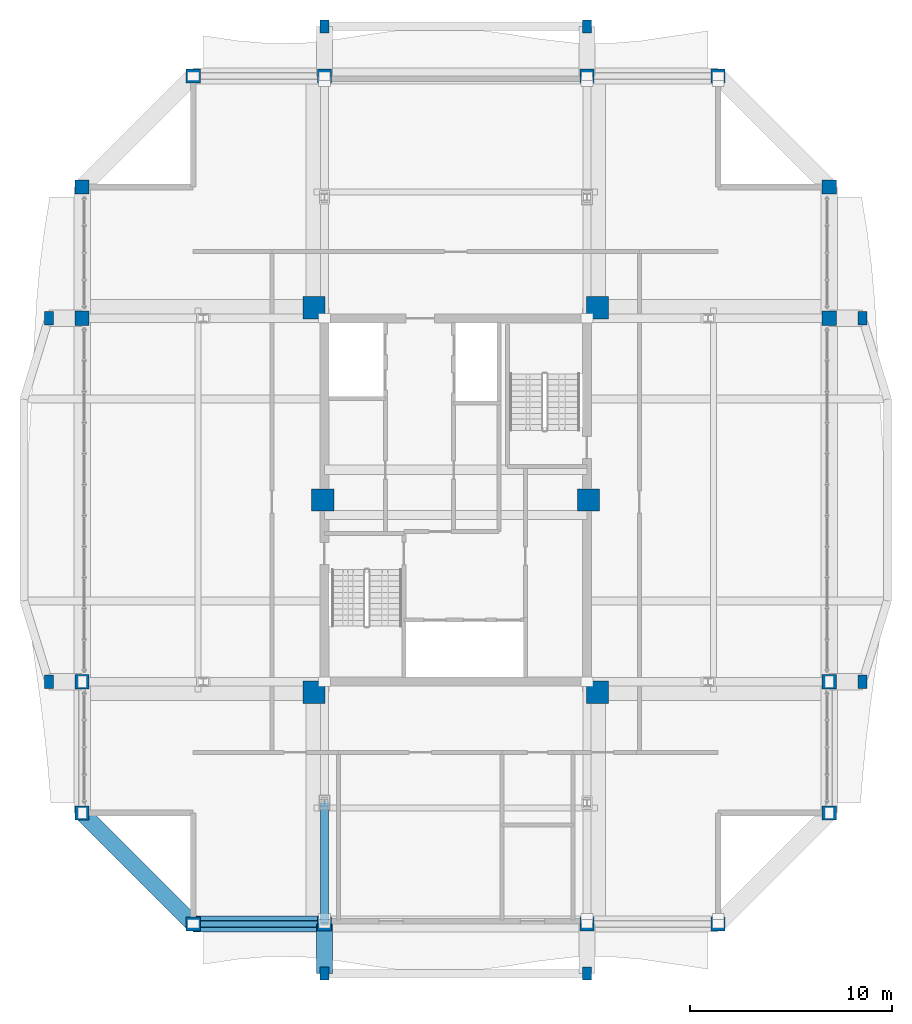
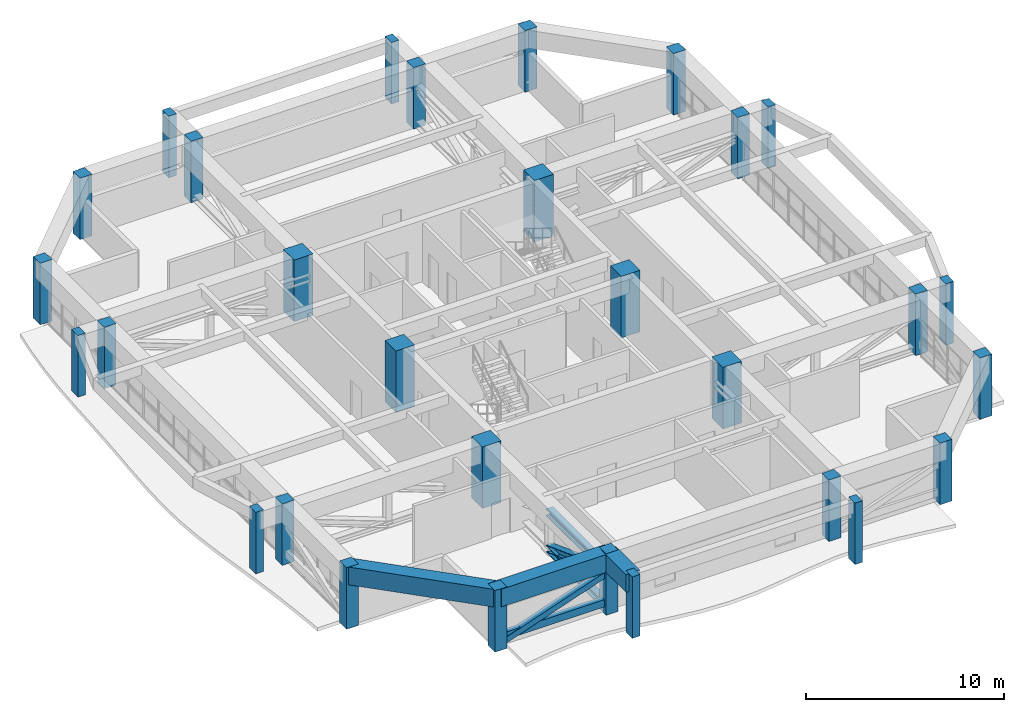
# One storey, part 1 of 25: 30 columns, 5 members, 3 beams.
"""IFC4 building model written with IfcOpenShell, lengths in metres."""

from ifc_helpers import new_model, si_unit, direction, frame, origin, origin_2d, place, context, subcontext, project, spatial, rectangle, hollow_rectangle, i_section, extrude, source, transform, mapped, material, material_profile, profile_set, type_object, element, save


model = new_model("IFC4")

# Units and contexts
model_context = context("Model", 3, precision=1e-05, world=origin(), true_north=direction((0.0, 1.0)))
body_context = subcontext(model_context, "Body", "Model", "MODEL_VIEW")
ifc_project = project(units=[si_unit("LENGTHUNIT", "METRE"), si_unit("AREAUNIT", "SQUARE_METRE"), si_unit("VOLUMEUNIT", "CUBIC_METRE"), si_unit("PLANEANGLEUNIT", "RADIAN"), si_unit("MASSUNIT", "GRAM", prefix="KILO")], contexts=[model_context])

# Site, building, storey
site_placement = place(None, origin())
site = spatial("IfcSite", under=ifc_project, at=site_placement, CompositionType="ELEMENT")
building_placement = place(site_placement, origin())
building = spatial("IfcBuilding", under=site, at=building_placement, Name="Saelheon Loggia Tower", CompositionType="ELEMENT")
storey_placement = place(building_placement, frame((0.0, 0.0, 206.5)))
storey = spatial("IfcBuildingStorey", under=building, at=storey_placement, Name="L64", CompositionType="ELEMENT", Elevation=206.5)

# Columns
ifc_material_1 = material(Name="Concrete C50/60", Category="concrete")
ifc_material_profile_1 = material_profile(ifc_material_1, rectangle(XDim=1.10009765625, YDim=1.10009765625, at=origin_2d()), Name="RC-1100x1100")
ifc_profile_set_1 = profile_set([ifc_material_profile_1], Name="Concrete C50/60")
column_type_1 = type_object("IfcColumnType", Name="Col_Core_RC1100", PredefinedType="COLUMN", material=ifc_profile_set_1)
shared_shape_1 = source(origin(), body_context, "Body", "SweptSolid", [
    extrude(rectangle(XDim=1.10009765625, YDim=1.10009765625, at=origin_2d()), origin(), (0.0, 0.0, 1.0), 3.800048828125),
])
for number, where, z_axis, x_axis, name in (
    (1, (30.97998046875, 17.47998046875, 0.0), (0.0, 0.0, 1.0), (1.0, 0.0, 0.0), "L64 Core Column CR-SW"),
    (2, (45.02001953125, 17.47998046875, 0.0), (0.0, 0.0, 1.0), (1.0, 0.0, 0.0), "L64 Core Column CR-SE"),
    (3, (30.97998046875, 36.52001953125, 0.0), (0.0, 0.0, 1.0), (1.0, 0.0, 0.0), "L64 Core Column CR-NW"),
    (4, (45.02001953125, 36.52001953125, 0.0), (0.0, 0.0, 1.0), (1.0, 0.0, 0.0), "L64 Core Column CR-NE"),
    (5, (31.419921875, 27.0, 0.0), (0.0, 0.0, 1.0), (1.0, 0.0, 0.0), "L64 Core Column CR-MW"),
    (6, (44.580078125, 27.0, 0.0), (0.0, 0.0, 1.0), (1.0, 0.0, 0.0), "L64 Core Column CR-ME"),
):
    element("IfcColumn", number, at=place(storey_placement, frame(where, z_axis=z_axis, x_axis=x_axis)), inside=storey, type_object=column_type_1, Name=name, PredefinedType="COLUMN", context=body_context, shape_type="MappedRepresentation", body=[
        mapped(shared_shape_1, transform((0.0, 0.0, 0.0), scale=1.0)),
    ])
ifc_material_2 = material(Name="Concrete C45/55", Category="concrete")
ifc_material_profile_2 = material_profile(ifc_material_2, rectangle(XDim=0.699951171875, YDim=0.699951171875, at=origin_2d()), Name="RC-700x700")
ifc_profile_set_2 = profile_set([ifc_material_profile_2], Name="Concrete C45/55")
column_type_2 = type_object("IfcColumnType", Name="Col_Perim_RC700", PredefinedType="COLUMN", material=ifc_profile_set_2)
shared_shape_2 = source(origin(), body_context, "Body", "SweptSolid", [
    extrude(rectangle(XDim=0.699951171875, YDim=0.699951171875, at=origin_2d()), origin(), (0.0, 0.0, 1.0), 3.800048828125),
])
for number, where, z_axis, x_axis, name in (
    (7, (25.0, 6.0, 0.0), (0.0, 0.0, 1.0), (1.0, 0.0, 0.0), "L64 Perimeter Column TP-S1"),
    (8, (31.5, 6.0, 0.0), (0.0, 0.0, 1.0), (1.0, 0.0, 0.0), "L64 Perimeter Column TP-SA"),
    (9, (44.5, 6.0, 0.0), (0.0, 0.0, 1.0), (1.0, 0.0, 0.0), "L64 Perimeter Column TP-SB"),
    (10, (51.0, 6.0, 0.0), (0.0, 0.0, 1.0), (1.0, 0.0, 0.0), "L64 Perimeter Column TP-S2"),
    (11, (56.5, 11.5, 0.0), (0.0, 0.0, 1.0), (1.0, 0.0, 0.0), "L64 Perimeter Column TP-E1"),
    (12, (56.5, 18.0, 0.0), (0.0, 0.0, 1.0), (1.0, 0.0, 0.0), "L64 Perimeter Column TP-EA"),
    (13, (56.5, 36.0, 0.0), (0.0, 0.0, 1.0), (1.0, 0.0, 0.0), "L64 Perimeter Column TP-EB"),
    (14, (56.5, 42.5, 0.0), (0.0, 0.0, 1.0), (1.0, 0.0, 0.0), "L64 Perimeter Column TP-E2"),
    (15, (51.0, 48.0, 0.0), (0.0, 0.0, 1.0), (1.0, 0.0, 0.0), "L64 Perimeter Column TP-N2"),
    (16, (44.5, 48.0, 0.0), (0.0, 0.0, 1.0), (1.0, 0.0, 0.0), "L64 Perimeter Column TP-NB"),
    (17, (31.5, 48.0, 0.0), (0.0, 0.0, 1.0), (1.0, 0.0, 0.0), "L64 Perimeter Column TP-NA"),
    (18, (25.0, 48.0, 0.0), (0.0, 0.0, 1.0), (1.0, 0.0, 0.0), "L64 Perimeter Column TP-N1"),
    (19, (19.5, 42.5, 0.0), (0.0, 0.0, 1.0), (1.0, 0.0, 0.0), "L64 Perimeter Column TP-W2"),
    (20, (19.5, 36.0, 0.0), (0.0, 0.0, 1.0), (1.0, 0.0, 0.0), "L64 Perimeter Column TP-WB"),
    (21, (19.5, 18.0, 0.0), (0.0, 0.0, 1.0), (1.0, 0.0, 0.0), "L64 Perimeter Column TP-WA"),
    (22, (19.5, 11.5, 0.0), (0.0, 0.0, 1.0), (1.0, 0.0, 0.0), "L64 Perimeter Column TP-W1"),
):
    element("IfcColumn", number, at=place(storey_placement, frame(where, z_axis=z_axis, x_axis=x_axis)), inside=storey, type_object=column_type_2, Name=name, PredefinedType="COLUMN", context=body_context, shape_type="MappedRepresentation", body=[
        mapped(shared_shape_2, transform((0.0, 0.0, 0.0), scale=1.0)),
    ])
ifc_material_3 = material(Name="Precast Concrete C45/55", Category="concrete")
ifc_material_profile_3 = material_profile(ifc_material_3, rectangle(XDim=0.449951171875, YDim=0.64990234375, at=origin_2d()), Name="RC-450x650")
ifc_profile_set_3 = profile_set([ifc_material_profile_3], Name="Precast Concrete C45/55")
column_type_3 = type_object("IfcColumnType", Name="Col_Loggia_Pilaster_650", PredefinedType="PILASTER", material=ifc_profile_set_3)
shared_shape_3 = source(origin(), body_context, "Body", "SweptSolid", [
    extrude(rectangle(XDim=0.449951171875, YDim=0.64990234375, at=origin_2d()), origin(), (0.0, 0.0, 1.0), 3.800048828125),
])
for number, where, z_axis, x_axis, name in (
    (23, (31.5, 3.550048828125, 0.0), (0.0, 0.0, 1.0), (1.0, 0.0, 0.0), "L64 Loggia Frame Pilaster LP-S1"),
    (24, (44.5, 3.550048828125, 0.0), (0.0, 0.0, 1.0), (1.0, 0.0, 0.0), "L64 Loggia Frame Pilaster LP-S2"),
    (25, (31.5, 50.449951171875, 0.0), (0.0, 0.0, 1.0), (1.0, 0.0, 0.0), "L64 Loggia Frame Pilaster LP-N1"),
    (26, (44.5, 50.449951171875, 0.0), (0.0, 0.0, 1.0), (1.0, 0.0, 0.0), "L64 Loggia Frame Pilaster LP-N2"),
    (27, (58.14990234375, 18.0, 0.0), (0.0, 0.0, 1.0), (1.0, 0.0, 0.0), "L64 Loggia Frame Pilaster LP-E1"),
    (28, (58.14990234375, 36.0, 0.0), (0.0, 0.0, 1.0), (1.0, 0.0, 0.0), "L64 Loggia Frame Pilaster LP-E2"),
    (29, (17.85009765625, 18.0, 0.0), (0.0, 0.0, 1.0), (1.0, 0.0, 0.0), "L64 Loggia Frame Pilaster LP-W1"),
    (30, (17.85009765625, 36.0, 0.0), (0.0, 0.0, 1.0), (1.0, 0.0, 0.0), "L64 Loggia Frame Pilaster LP-W2"),
):
    element("IfcColumn", number, at=place(storey_placement, frame(where, z_axis=z_axis, x_axis=x_axis)), inside=storey, type_object=column_type_3, Name=name, PredefinedType="PILASTER", context=body_context, shape_type="MappedRepresentation", body=[
        mapped(shared_shape_3, transform((0.0, 0.0, 0.0), scale=1.0)),
    ])

# Beams
ifc_material_profile_4 = material_profile(ifc_material_1, rectangle(XDim=0.800048828125, YDim=1.10009765625, at=origin_2d()), Name="RC-800x1100")
ifc_profile_set_4 = profile_set([ifc_material_profile_4], Name="Concrete C50/60")
beam_type = type_object("IfcBeamType", Name="Beam_PerimSetback_RC800x1100", PredefinedType="BEAM", material=ifc_profile_set_4)
shared_shape_4 = source(origin(), body_context, "Body", "SweptSolid", [
    extrude(rectangle(XDim=0.800048828125, YDim=1.10009765625, at=origin_2d()), origin(), (0.0, 0.0, 1.0), 2.449951171875),
])
beam_1_placement = place(storey_placement, frame((31.5, 6.0, 3.25), z_axis=(0.0, -1.0, 0.0), x_axis=(1.0, 0.0, 0.0)))
element("IfcBeam", 31, at=beam_1_placement, inside=storey, type_object=beam_type, Name="L64 Loggia Frame Tie Beam LP-S1", PredefinedType="BEAM", context=body_context, shape_type="MappedRepresentation", body=[
    mapped(shared_shape_4, transform((0.0, 0.0, 0.0), scale=1.0)),
])
shared_shape_5 = source(origin(), body_context, "Body", "SweptSolid", [
    extrude(rectangle(XDim=0.800048828125, YDim=1.10009765625, at=origin_2d()), origin(), (0.0, 0.0, 1.0), 6.5),
])
beam_2_placement = place(storey_placement, frame((25.0, 6.0, 3.25), z_axis=(1.0, 0.0, 0.0), x_axis=(0.0, 1.0, 0.0)))
element("IfcBeam", 32, at=beam_2_placement, inside=storey, type_object=beam_type, Name="L64 Perimeter Frame Girder 01", PredefinedType="BEAM", context=body_context, shape_type="MappedRepresentation", body=[
    mapped(shared_shape_5, transform((0.0, 0.0, 0.0), scale=1.0)),
])
shared_shape_6 = source(origin(), body_context, "Body", "SweptSolid", [
    extrude(rectangle(XDim=0.800048828125, YDim=1.10009765625, at=origin_2d()), origin(), (0.0, 0.0, 1.0), 7.778076171875),
])
beam_3_placement = place(storey_placement, frame((19.5, 11.5, 3.25), z_axis=(0.707106781187, -0.707106781187, 0.0), x_axis=(0.707106781187, 0.707106781187, 0.0)))
element("IfcBeam", 33, at=beam_3_placement, inside=storey, type_object=beam_type, Name="L64 Perimeter Frame Girder 16", PredefinedType="BEAM", context=body_context, shape_type="MappedRepresentation", body=[
    mapped(shared_shape_6, transform((0.0, 0.0, 0.0), scale=1.0)),
])

# Members
ifc_material_4 = material(Name="Steel SM355", Category="steel")
ifc_material_profile_5 = material_profile(ifc_material_4, i_section(OverallWidth=0.406982421875, OverallDepth=0.427978515625, WebThickness=0.02001953125, FlangeThickness=0.034912109375, at=origin_2d()), Name="H-428x407x20x35")
ifc_profile_set_5 = profile_set([ifc_material_profile_5], Name="Steel SM355")
member_type_1 = type_object("IfcMemberType", Name="Outrigger_Chord_H428", PredefinedType="CHORD", material=ifc_profile_set_5)
shared_shape_7 = source(origin(), body_context, "Body", "SweptSolid", [
    extrude(i_section(OverallWidth=0.406982421875, OverallDepth=0.427978515625, WebThickness=0.02001953125, FlangeThickness=0.034912109375, at=origin_2d()), origin(), (0.0, 0.0, 1.0), 6.0),
])
for number, where, z_axis, x_axis, name in (
    (34, (31.5, 12.0, 0.219970703125), (0.0, -1.0, 0.0), (1.0, 0.0, 0.0), "L64 Outrigger Bottom Chord SW-S 2"),
    (35, (31.5, 12.0, 2.469970703125), (0.0, -1.0, 0.0), (1.0, 0.0, 0.0), "L64 Outrigger Top Chord SW-S 2"),
):
    element("IfcMember", number, at=place(storey_placement, frame(where, z_axis=z_axis, x_axis=x_axis)), inside=storey, type_object=member_type_1, Name=name, PredefinedType="CHORD", context=body_context, shape_type="MappedRepresentation", body=[
        mapped(shared_shape_7, transform((0.0, 0.0, 0.0), scale=1.0)),
    ])
ifc_material_profile_6 = material_profile(ifc_material_4, i_section(OverallWidth=0.39990234375, OverallDepth=0.39990234375, WebThickness=0.012939453125, FlangeThickness=0.02099609375, at=origin_2d()), Name="H-400x400x13x21")
ifc_profile_set_6 = profile_set([ifc_material_profile_6], Name="Steel SM355")
member_type_2 = type_object("IfcMemberType", Name="Outrigger_Brace_H400", PredefinedType="BRACE", material=ifc_profile_set_6)
shared_shape_8 = source(origin(), body_context, "Body", "SweptSolid", [
    extrude(i_section(OverallWidth=0.39990234375, OverallDepth=0.39990234375, WebThickness=0.012939453125, FlangeThickness=0.02099609375, at=origin_2d()), origin(), (0.0, 0.0, 1.0), 6.407958984375),
])
member_1_placement = place(storey_placement, frame((31.5, 12.0, 0.219970703125), z_axis=(0.0, -0.936329177569, 0.351123441588), x_axis=(1.0, 0.0, 0.0)))
element("IfcMember", 36, at=member_1_placement, inside=storey, type_object=member_type_2, Name="L64 Outrigger Diagonal SW-S 2", PredefinedType="BRACE", context=body_context, shape_type="MappedRepresentation", body=[
    mapped(shared_shape_8, transform((0.0, 0.0, 0.0), scale=1.0)),
])
ifc_material_profile_7 = material_profile(ifc_material_4, hollow_rectangle(XDim=0.300048828125, YDim=0.449951171875, WallThickness=0.02001953125, at=origin_2d()), Name="RHS-450x300x20")
ifc_profile_set_7 = profile_set([ifc_material_profile_7], Name="Steel SM355")
member_type_3 = type_object("IfcMemberType", Name="Belt_Chord_RHS450", PredefinedType="CHORD", material=ifc_profile_set_7)
shared_shape_9 = source(origin(), body_context, "Body", "SweptSolid", [
    extrude(hollow_rectangle(XDim=0.300048828125, YDim=0.449951171875, WallThickness=0.02001953125, at=origin_2d()), origin(), (0.0, 0.0, 1.0), 6.5),
])
member_2_placement = place(storey_placement, frame((25.0, 6.0, 0.6201171875), z_axis=(1.0, 0.0, 0.0), x_axis=(0.0, 1.0, 0.0)))
element("IfcMember", 37, at=member_2_placement, inside=storey, type_object=member_type_3, Name="L64 Belt Truss Chord BS1", PredefinedType="CHORD", context=body_context, shape_type="MappedRepresentation", body=[
    mapped(shared_shape_9, transform((0.0, 0.0, 0.0), scale=1.0)),
])
ifc_material_profile_8 = material_profile(ifc_material_4, hollow_rectangle(XDim=0.35009765625, YDim=0.35009765625, WallThickness=0.01611328125, at=origin_2d()), Name="RHS-350x350x16")
ifc_profile_set_8 = profile_set([ifc_material_profile_8], Name="Steel SM355")
member_type_4 = type_object("IfcMemberType", Name="Belt_Brace_RHS350", PredefinedType="BRACE", material=ifc_profile_set_8)
shared_shape_10 = source(origin(), body_context, "Body", "SweptSolid", [
    extrude(hollow_rectangle(XDim=0.35009765625, YDim=0.35009765625, WallThickness=0.01611328125, at=origin_2d()), origin(), (0.0, 0.0, 1.0), 6.87841796875),
])
member_3_placement = place(storey_placement, frame((25.0, 6.0, 0.219970703125), z_axis=(0.94498607344, 0.0, 0.327110563883), x_axis=(0.0, 1.0, 0.0)))
element("IfcMember", 38, at=member_3_placement, inside=storey, type_object=member_type_4, Name="L64 Belt Truss Brace BS1", PredefinedType="BRACE", context=body_context, shape_type="MappedRepresentation", body=[
    mapped(shared_shape_10, transform((0.0, 0.0, 0.0), scale=1.0)),
])

save(model, "model.ifc")
